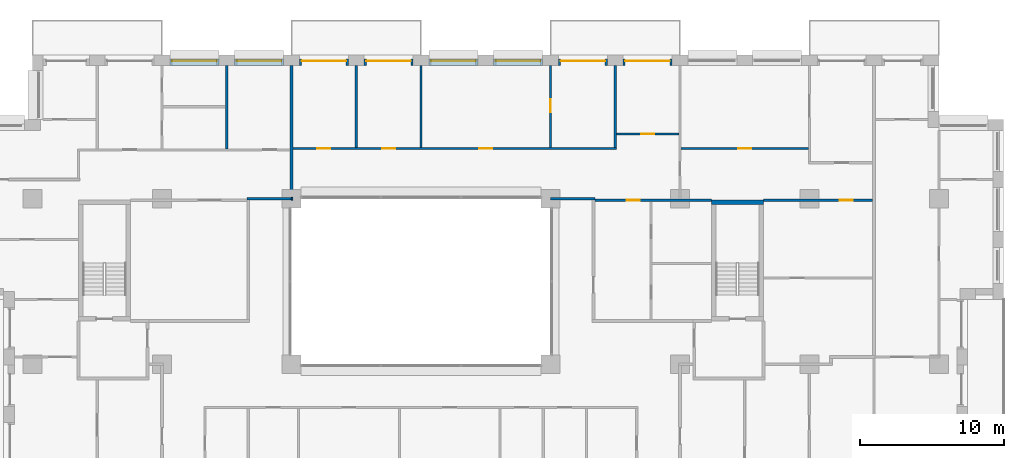
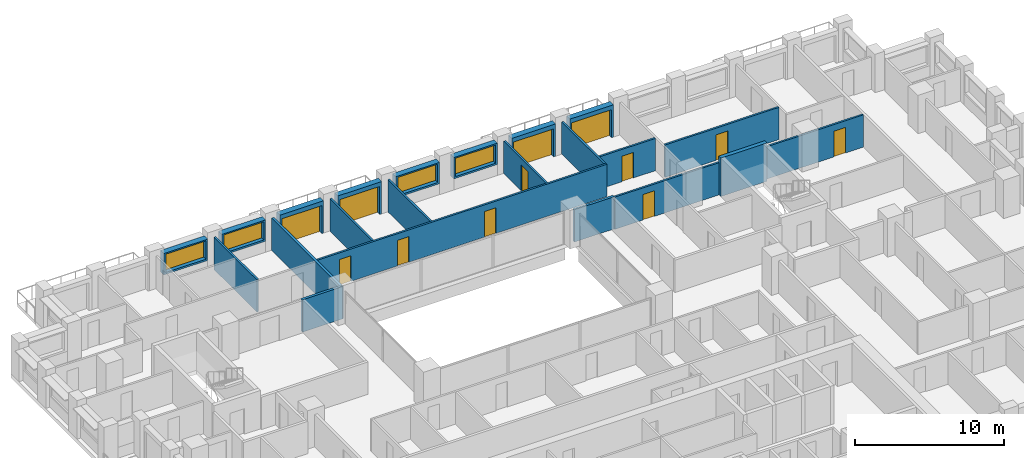
# One storey, part 13 of 17: 23 walls, 12 doors, 4 windows, 16 openings.
"""IFC4 building model written with IfcOpenShell, lengths in metres."""

from ifc_helpers import new_model, si_unit, direction, frame, frame_2d, origin, place, context, subcontext, project, spatial, rectangle, extrude, material, layer, layer_set, type_object, element, fill, save


model = new_model("IFC4")

# Units and contexts
model_context = context("Model", 3, precision=1e-05, world=origin(), true_north=direction((0.0, 1.0)))
body_context = subcontext(model_context, "Body", "Model", "MODEL_VIEW")
ifc_project = project(units=[si_unit("LENGTHUNIT", "METRE"), si_unit("AREAUNIT", "SQUARE_METRE"), si_unit("VOLUMEUNIT", "CUBIC_METRE"), si_unit("PLANEANGLEUNIT", "RADIAN"), si_unit("MASSUNIT", "GRAM", prefix="KILO")], contexts=[model_context])

# Site, building, storey
site_placement = place(None, origin())
site = spatial("IfcSite", under=ifc_project, at=site_placement, CompositionType="ELEMENT")
building_placement = place(site_placement, origin())
building = spatial("IfcBuilding", under=site, at=building_placement, Name="Brigalow Station Residences", CompositionType="ELEMENT")
storey_placement = place(building_placement, frame((0.0, 0.0, 127.64990234375)))
storey = spatial("IfcBuildingStorey", under=building, at=storey_placement, Name="L37", CompositionType="ELEMENT", Elevation=127.64990234375)

# Wall, opening, door
ifc_material_1 = material(Name="Clay brick masonry", Category="masonry")
ifc_layer_1 = layer(ifc_material_1, 0.449951171875)
ifc_layer_set_1 = layer_set([ifc_layer_1], Name="BRICK INFILL WALL 450")
wall_type_1 = type_object("IfcWallType", Name="BRICK INFILL WALL 450", PredefinedType="SOLIDWALL", material=ifc_layer_set_1)
wall_1_placement = place(storey_placement, frame((53.449951171875, 44.97509765625, 0.0), z_axis=(0.0, 0.0, 1.0), x_axis=(-1.0, 0.0, 0.0)))
wall_1 = element("IfcWall", 1, at=wall_1_placement, inside=storey, type_object=wall_type_1, Name="L37/ewall/W-L37-27", PredefinedType="SOLIDWALL", context=body_context, shape_type="SweptSolid", body=[
    extrude(rectangle(XDim=3.39990234375, YDim=0.449951171875, at=frame_2d((1.699951171875, 0.0))), origin(), (0.0, 0.0, 1.0), 2.650146484375),
])
opening_1_placement = place(wall_1_placement, frame((0.14990234375, 0.0, 0.0)))
opening_1 = element("IfcOpeningElement", 2, at=opening_1_placement, cuts=wall_1, Name="Opening D-B3100", PredefinedType="OPENING", context=body_context, shape_type="SweptSolid", body=[
    extrude(rectangle(XDim=3.10009765625, YDim=2.300048828125, at=frame_2d((1.550048828125, 1.14990234375))), frame((0.0, 0.23486328125, 0.0), z_axis=(0.0, -1.0, 0.0), x_axis=(1.0, 0.0, 0.0)), (0.0, 0.0, 1.0), 0.469970703125),
])
ifc_material_2 = material(Name="Anodised aluminium frame with double glazing", Category="aluminium")
door_type_1 = type_object("IfcDoorType", Name="BALCONY SLIDING DOOR 3100x2300", OperationType="SLIDING_TO_LEFT", PredefinedType="DOOR", material=ifc_material_2)
door_1_placement = place(opening_1_placement, origin())
door_1 = element("IfcDoor", 3, at=door_1_placement, inside=storey, type_object=door_type_1, Name="L37/balcony-door/W-L37-27", OperationType="SLIDING_TO_LEFT", OverallHeight=2.300048828125, OverallWidth=3.10009765625, PredefinedType="DOOR", context=body_context, shape_type="SweptSolid", body=[
    extrude(rectangle(XDim=3.10009765625, YDim=2.300048828125, at=frame_2d((1.550048828125, 1.14990234375))), frame((0.0, -0.06982421875, 0.0), z_axis=(0.0, -1.0, 0.0), x_axis=(1.0, 0.0, 0.0)), (0.0, 0.0, 1.0), 0.050048828125),
])
fill(opening_1, door_1)

wall_2_placement = place(storey_placement, frame((48.949951171875, 44.97509765625, 0.0), z_axis=(0.0, 0.0, 1.0), x_axis=(-1.0, 0.0, 0.0)))
wall_2 = element("IfcWall", 4, at=wall_2_placement, inside=storey, type_object=wall_type_1, Name="L37/ewall/W-L37-28", PredefinedType="SOLIDWALL", context=body_context, shape_type="SweptSolid", body=[
    extrude(rectangle(XDim=3.39990234375, YDim=0.449951171875, at=frame_2d((1.699951171875, 0.0))), origin(), (0.0, 0.0, 1.0), 2.650146484375),
])
opening_2_placement = place(wall_2_placement, frame((0.14990234375, 0.0, 0.0)))
opening_2 = element("IfcOpeningElement", 5, at=opening_2_placement, cuts=wall_2, Name="Opening D-B3100", PredefinedType="OPENING", context=body_context, shape_type="SweptSolid", body=[
    extrude(rectangle(XDim=3.10009765625, YDim=2.300048828125, at=frame_2d((1.550048828125, 1.14990234375))), frame((0.0, 0.23486328125, 0.0), z_axis=(0.0, -1.0, 0.0), x_axis=(1.0, 0.0, 0.0)), (0.0, 0.0, 1.0), 0.469970703125),
])
door_2_placement = place(opening_2_placement, origin())
door_2 = element("IfcDoor", 6, at=door_2_placement, inside=storey, type_object=door_type_1, Name="L37/balcony-door/W-L37-28", OperationType="SLIDING_TO_LEFT", OverallHeight=2.300048828125, OverallWidth=3.10009765625, PredefinedType="DOOR", context=body_context, shape_type="SweptSolid", body=[
    extrude(rectangle(XDim=3.10009765625, YDim=2.300048828125, at=frame_2d((1.550048828125, 1.14990234375))), frame((0.0, -0.06982421875, 0.0), z_axis=(0.0, -1.0, 0.0), x_axis=(1.0, 0.0, 0.0)), (0.0, 0.0, 1.0), 0.050048828125),
])
fill(opening_2, door_2)

# Wall, opening, window
wall_3_placement = place(storey_placement, frame((44.449951171875, 44.97509765625, 0.900146484375), z_axis=(0.0, 0.0, 1.0), x_axis=(-1.0, 0.0, 0.0)))
wall_3 = element("IfcWall", 7, at=wall_3_placement, inside=storey, type_object=wall_type_1, Name="L37/ewall/W-L37-29", PredefinedType="SOLIDWALL", context=body_context, shape_type="SweptSolid", body=[
    extrude(rectangle(XDim=3.39990234375, YDim=0.449951171875, at=frame_2d((1.699951171875, 0.0))), origin(), (0.0, 0.0, 1.0), 1.75),
])
opening_3_placement = place(wall_3_placement, frame((0.14990234375, 0.0, 0.14990234375)))
opening_3 = element("IfcOpeningElement", 8, at=opening_3_placement, cuts=wall_3, Name="Opening WT-8", PredefinedType="OPENING", context=body_context, shape_type="SweptSolid", body=[
    extrude(rectangle(XDim=3.10009765625, YDim=1.5, at=frame_2d((1.550048828125, 0.75))), frame((0.0, 0.23486328125, 0.0), z_axis=(0.0, -1.0, 0.0), x_axis=(1.0, 0.0, 0.0)), (0.0, 0.0, 1.0), 0.469970703125),
])
ifc_material_3 = material(Name="Anodised aluminium frame with double glazing", Category="aluminium")
window_type = type_object("IfcWindowType", Name="WINDOW 3100x1500", PartitioningType="SINGLE_PANEL", PredefinedType="WINDOW", material=ifc_material_3)
window_1_placement = place(opening_3_placement, origin())
window_1 = element("IfcWindow", 9, at=window_1_placement, inside=storey, type_object=window_type, Name="L37/window/W-L37-29", OverallHeight=1.5, OverallWidth=3.10009765625, PartitioningType="SINGLE_PANEL", PredefinedType="WINDOW", context=body_context, shape_type="SweptSolid", body=[
    extrude(rectangle(XDim=3.10009765625, YDim=1.5, at=frame_2d((1.550048828125, 0.75))), frame((0.0, -0.06494140625, 0.0), z_axis=(0.0, -1.0, 0.0), x_axis=(1.0, 0.0, 0.0)), (0.0, 0.0, 1.0), 0.06005859375),
])
fill(opening_3, window_1)

wall_4_placement = place(storey_placement, frame((39.949951171875, 44.97509765625, 0.900146484375), z_axis=(0.0, 0.0, 1.0), x_axis=(-1.0, 0.0, 0.0)))
wall_4 = element("IfcWall", 10, at=wall_4_placement, inside=storey, type_object=wall_type_1, Name="L37/ewall/W-L37-30", PredefinedType="SOLIDWALL", context=body_context, shape_type="SweptSolid", body=[
    extrude(rectangle(XDim=3.39990234375, YDim=0.449951171875, at=frame_2d((1.699951171875, 0.0))), origin(), (0.0, 0.0, 1.0), 1.75),
])
opening_4_placement = place(wall_4_placement, frame((0.14990234375, 0.0, 0.14990234375)))
opening_4 = element("IfcOpeningElement", 11, at=opening_4_placement, cuts=wall_4, Name="Opening WT-8", PredefinedType="OPENING", context=body_context, shape_type="SweptSolid", body=[
    extrude(rectangle(XDim=3.10009765625, YDim=1.5, at=frame_2d((1.550048828125, 0.75))), frame((0.0, 0.23486328125, 0.0), z_axis=(0.0, -1.0, 0.0), x_axis=(1.0, 0.0, 0.0)), (0.0, 0.0, 1.0), 0.469970703125),
])
window_2_placement = place(opening_4_placement, origin())
window_2 = element("IfcWindow", 12, at=window_2_placement, inside=storey, type_object=window_type, Name="L37/window/W-L37-30", OverallHeight=1.5, OverallWidth=3.10009765625, PartitioningType="SINGLE_PANEL", PredefinedType="WINDOW", context=body_context, shape_type="SweptSolid", body=[
    extrude(rectangle(XDim=3.10009765625, YDim=1.5, at=frame_2d((1.550048828125, 0.75))), frame((0.0, -0.06494140625, 0.0), z_axis=(0.0, -1.0, 0.0), x_axis=(1.0, 0.0, 0.0)), (0.0, 0.0, 1.0), 0.06005859375),
])
fill(opening_4, window_2)

# Wall, opening, door
wall_5_placement = place(storey_placement, frame((35.449951171875, 44.97509765625, 0.0), z_axis=(0.0, 0.0, 1.0), x_axis=(-1.0, 0.0, 0.0)))
wall_5 = element("IfcWall", 13, at=wall_5_placement, inside=storey, type_object=wall_type_1, Name="L37/ewall/W-L37-31", PredefinedType="SOLIDWALL", context=body_context, shape_type="SweptSolid", body=[
    extrude(rectangle(XDim=3.39990234375, YDim=0.449951171875, at=frame_2d((1.699951171875, 0.0))), origin(), (0.0, 0.0, 1.0), 2.650146484375),
])
opening_5_placement = place(wall_5_placement, frame((0.14990234375, 0.0, 0.0)))
opening_5 = element("IfcOpeningElement", 14, at=opening_5_placement, cuts=wall_5, Name="Opening D-B3100", PredefinedType="OPENING", context=body_context, shape_type="SweptSolid", body=[
    extrude(rectangle(XDim=3.10009765625, YDim=2.300048828125, at=frame_2d((1.550048828125, 1.14990234375))), frame((0.0, 0.23486328125, 0.0), z_axis=(0.0, -1.0, 0.0), x_axis=(1.0, 0.0, 0.0)), (0.0, 0.0, 1.0), 0.469970703125),
])
door_3_placement = place(opening_5_placement, origin())
door_3 = element("IfcDoor", 15, at=door_3_placement, inside=storey, type_object=door_type_1, Name="L37/balcony-door/W-L37-31", OperationType="SLIDING_TO_LEFT", OverallHeight=2.300048828125, OverallWidth=3.10009765625, PredefinedType="DOOR", context=body_context, shape_type="SweptSolid", body=[
    extrude(rectangle(XDim=3.10009765625, YDim=2.300048828125, at=frame_2d((1.550048828125, 1.14990234375))), frame((0.0, -0.06982421875, 0.0), z_axis=(0.0, -1.0, 0.0), x_axis=(1.0, 0.0, 0.0)), (0.0, 0.0, 1.0), 0.050048828125),
])
fill(opening_5, door_3)

wall_6_placement = place(storey_placement, frame((30.949951171875, 44.97509765625, 0.0), z_axis=(0.0, 0.0, 1.0), x_axis=(-1.0, 0.0, 0.0)))
wall_6 = element("IfcWall", 16, at=wall_6_placement, inside=storey, type_object=wall_type_1, Name="L37/ewall/W-L37-32", PredefinedType="SOLIDWALL", context=body_context, shape_type="SweptSolid", body=[
    extrude(rectangle(XDim=3.39990234375, YDim=0.449951171875, at=frame_2d((1.699951171875, 0.0))), origin(), (0.0, 0.0, 1.0), 2.650146484375),
])
opening_6_placement = place(wall_6_placement, frame((0.14990234375, 0.0, 0.0)))
opening_6 = element("IfcOpeningElement", 17, at=opening_6_placement, cuts=wall_6, Name="Opening D-B3100", PredefinedType="OPENING", context=body_context, shape_type="SweptSolid", body=[
    extrude(rectangle(XDim=3.10009765625, YDim=2.300048828125, at=frame_2d((1.550048828125, 1.14990234375))), frame((0.0, 0.23486328125, 0.0), z_axis=(0.0, -1.0, 0.0), x_axis=(1.0, 0.0, 0.0)), (0.0, 0.0, 1.0), 0.469970703125),
])
door_4_placement = place(opening_6_placement, origin())
door_4 = element("IfcDoor", 18, at=door_4_placement, inside=storey, type_object=door_type_1, Name="L37/balcony-door/W-L37-32", OperationType="SLIDING_TO_LEFT", OverallHeight=2.300048828125, OverallWidth=3.10009765625, PredefinedType="DOOR", context=body_context, shape_type="SweptSolid", body=[
    extrude(rectangle(XDim=3.10009765625, YDim=2.300048828125, at=frame_2d((1.550048828125, 1.14990234375))), frame((0.0, -0.06982421875, 0.0), z_axis=(0.0, -1.0, 0.0), x_axis=(1.0, 0.0, 0.0)), (0.0, 0.0, 1.0), 0.050048828125),
])
fill(opening_6, door_4)

# Wall, opening, window
wall_7_placement = place(storey_placement, frame((26.449951171875, 44.97509765625, 0.900146484375), z_axis=(0.0, 0.0, 1.0), x_axis=(-1.0, 0.0, 0.0)))
wall_7 = element("IfcWall", 19, at=wall_7_placement, inside=storey, type_object=wall_type_1, Name="L37/ewall/W-L37-33", PredefinedType="SOLIDWALL", context=body_context, shape_type="SweptSolid", body=[
    extrude(rectangle(XDim=3.39990234375, YDim=0.449951171875, at=frame_2d((1.699951171875, 0.0))), origin(), (0.0, 0.0, 1.0), 1.75),
])
opening_7_placement = place(wall_7_placement, frame((0.14990234375, 0.0, 0.14990234375)))
opening_7 = element("IfcOpeningElement", 20, at=opening_7_placement, cuts=wall_7, Name="Opening WT-8", PredefinedType="OPENING", context=body_context, shape_type="SweptSolid", body=[
    extrude(rectangle(XDim=3.10009765625, YDim=1.5, at=frame_2d((1.550048828125, 0.75))), frame((0.0, 0.23486328125, 0.0), z_axis=(0.0, -1.0, 0.0), x_axis=(1.0, 0.0, 0.0)), (0.0, 0.0, 1.0), 0.469970703125),
])
window_3_placement = place(opening_7_placement, origin())
window_3 = element("IfcWindow", 21, at=window_3_placement, inside=storey, type_object=window_type, Name="L37/window/W-L37-33", OverallHeight=1.5, OverallWidth=3.10009765625, PartitioningType="SINGLE_PANEL", PredefinedType="WINDOW", context=body_context, shape_type="SweptSolid", body=[
    extrude(rectangle(XDim=3.10009765625, YDim=1.5, at=frame_2d((1.550048828125, 0.75))), frame((0.0, -0.06494140625, 0.0), z_axis=(0.0, -1.0, 0.0), x_axis=(1.0, 0.0, 0.0)), (0.0, 0.0, 1.0), 0.06005859375),
])
fill(opening_7, window_3)

wall_8_placement = place(storey_placement, frame((21.949951171875, 44.97509765625, 0.900146484375), z_axis=(0.0, 0.0, 1.0), x_axis=(-1.0, 0.0, 0.0)))
wall_8 = element("IfcWall", 22, at=wall_8_placement, inside=storey, type_object=wall_type_1, Name="L37/ewall/W-L37-34", PredefinedType="SOLIDWALL", context=body_context, shape_type="SweptSolid", body=[
    extrude(rectangle(XDim=3.39990234375, YDim=0.449951171875, at=frame_2d((1.699951171875, 0.0))), origin(), (0.0, 0.0, 1.0), 1.75),
])
opening_8_placement = place(wall_8_placement, frame((0.14990234375, 0.0, 0.14990234375)))
opening_8 = element("IfcOpeningElement", 23, at=opening_8_placement, cuts=wall_8, Name="Opening WT-8", PredefinedType="OPENING", context=body_context, shape_type="SweptSolid", body=[
    extrude(rectangle(XDim=3.10009765625, YDim=1.5, at=frame_2d((1.550048828125, 0.75))), frame((0.0, 0.23486328125, 0.0), z_axis=(0.0, -1.0, 0.0), x_axis=(1.0, 0.0, 0.0)), (0.0, 0.0, 1.0), 0.469970703125),
])
window_4_placement = place(opening_8_placement, origin())
window_4 = element("IfcWindow", 24, at=window_4_placement, inside=storey, type_object=window_type, Name="L37/window/W-L37-34", OverallHeight=1.5, OverallWidth=3.10009765625, PartitioningType="SINGLE_PANEL", PredefinedType="WINDOW", context=body_context, shape_type="SweptSolid", body=[
    extrude(rectangle(XDim=3.10009765625, YDim=1.5, at=frame_2d((1.550048828125, 0.75))), frame((0.0, -0.06494140625, 0.0), z_axis=(0.0, -1.0, 0.0), x_axis=(1.0, 0.0, 0.0)), (0.0, 0.0, 1.0), 0.06005859375),
])
fill(opening_8, window_4)

# Wall
ifc_material_4 = material(Name="Concrete C65", Category="concrete")
ifc_layer_2 = layer(ifc_material_4, 0.300048828125)
ifc_layer_set_2 = layer_set([ifc_layer_2], Name="CORE SHEAR WALL 300 C65")
wall_type_2 = type_object("IfcWallType", Name="CORE SHEAR WALL 300 C65", PredefinedType="SHEAR", material=ifc_layer_set_2)
wall_9_placement = place(storey_placement, frame((56.199951171875, 35.25, 0.0), z_axis=(0.0, 0.0, 1.0), x_axis=(1.0, 0.0, 0.0)))
element("IfcWall", 25, at=wall_9_placement, inside=storey, type_object=wall_type_2, Name="CORE WALL ST-S3-N L37", PredefinedType="SHEAR", context=body_context, shape_type="SweptSolid", body=[
    extrude(rectangle(XDim=3.60009765625, YDim=0.300048828125, at=frame_2d((1.800048828125, 0.0))), origin(), (0.0, 0.0, 1.0), 3.150146484375),
])

# Wall, opening, door
ifc_material_5 = material(Name="Plasterboard on steel stud partition", Category="steel")
ifc_layer_3 = layer(ifc_material_5, 0.14990234375)
ifc_layer_set_3 = layer_set([ifc_layer_3], Name="FLAT PARTITION 150")
wall_type_3 = type_object("IfcWallType", Name="FLAT PARTITION 150", PredefinedType="PARTITIONING", material=ifc_layer_set_3)
wall_10_placement = place(storey_placement, frame((48.10009765625, 35.39990234375, 0.0), z_axis=(0.0, 0.0, 1.0), x_axis=(1.0, 0.0, 0.0)))
wall_10 = element("IfcWall", 26, at=wall_10_placement, inside=storey, type_object=wall_type_3, Name="PW-2F27", PredefinedType="PARTITIONING", context=body_context, shape_type="SweptSolid", body=[
    extrude(rectangle(XDim=8.099853515625, YDim=0.14990234375, at=frame_2d((4.0498046875, 0.0))), origin(), (0.0, 0.0, 1.0), 2.650146484375),
])
opening_9_placement = place(wall_10_placement, frame((2.199951171875, 0.0, 0.0)))
opening_9 = element("IfcOpeningElement", 27, at=opening_9_placement, cuts=wall_10, Name="Opening D-2F23", PredefinedType="OPENING", context=body_context, shape_type="SweptSolid", body=[
    extrude(rectangle(XDim=0.89990234375, YDim=2.10009765625, at=frame_2d((0.449951171875, 1.050048828125))), frame((0.0, 0.0849609375, 0.0), z_axis=(0.0, -1.0, 0.0), x_axis=(1.0, 0.0, 0.0)), (0.0, 0.0, 1.0), 0.169921875),
])
ifc_material_6 = material(Name="Solid-core timber door leaf", Category="wood")
door_type_2 = type_object("IfcDoorType", Name="INTERNAL DOOR 900 x 2100", OperationType="SINGLE_SWING_LEFT", PredefinedType="DOOR", material=ifc_material_6)
door_5_placement = place(opening_9_placement, frame((0.89990234375, 0.0, 0.0), z_axis=(0.0, 0.0, 1.0), x_axis=(-1.0, 0.0, 0.0)))
door_5 = element("IfcDoor", 28, at=door_5_placement, inside=storey, type_object=door_type_2, Name="D-2F23", OperationType="SINGLE_SWING_LEFT", OverallHeight=2.10009765625, OverallWidth=0.89990234375, PredefinedType="DOOR", context=body_context, shape_type="SweptSolid", body=[
    extrude(rectangle(XDim=0.89990234375, YDim=2.10009765625, at=frame_2d((0.449951171875, 1.050048828125))), frame((0.0, 0.02490234375, 0.0), z_axis=(0.0, -1.0, 0.0), x_axis=(1.0, 0.0, 0.0)), (0.0, 0.0, 1.0), 0.050048828125),
])
fill(opening_9, door_5)

wall_11_placement = place(storey_placement, frame((59.800048828125, 35.39990234375, 0.0), z_axis=(0.0, 0.0, 1.0), x_axis=(1.0, 0.0, 0.0)))
wall_11 = element("IfcWall", 29, at=wall_11_placement, inside=storey, type_object=wall_type_3, Name="PW-2F28", PredefinedType="PARTITIONING", context=body_context, shape_type="SweptSolid", body=[
    extrude(rectangle(XDim=7.599853515625, YDim=0.14990234375, at=frame_2d((3.7998046875, 0.0))), origin(), (0.0, 0.0, 1.0), 2.650146484375),
])
opening_10_placement = place(wall_11_placement, frame((5.324951171875, 0.0, 0.0)))
opening_10 = element("IfcOpeningElement", 30, at=opening_10_placement, cuts=wall_11, Name="Opening D-2F33", PredefinedType="OPENING", context=body_context, shape_type="SweptSolid", body=[
    extrude(rectangle(XDim=0.89990234375, YDim=2.10009765625, at=frame_2d((0.449951171875, 1.050048828125))), frame((0.0, 0.0849609375, 0.0), z_axis=(0.0, -1.0, 0.0), x_axis=(1.0, 0.0, 0.0)), (0.0, 0.0, 1.0), 0.169921875),
])
door_6_placement = place(opening_10_placement, frame((0.89990234375, 0.0, 0.0), z_axis=(0.0, 0.0, 1.0), x_axis=(-1.0, 0.0, 0.0)))
door_6 = element("IfcDoor", 31, at=door_6_placement, inside=storey, type_object=door_type_2, Name="D-2F33", OperationType="SINGLE_SWING_LEFT", OverallHeight=2.10009765625, OverallWidth=0.89990234375, PredefinedType="DOOR", context=body_context, shape_type="SweptSolid", body=[
    extrude(rectangle(XDim=0.89990234375, YDim=2.10009765625, at=frame_2d((0.449951171875, 1.050048828125))), frame((0.0, 0.02490234375, 0.0), z_axis=(0.0, -1.0, 0.0), x_axis=(1.0, 0.0, 0.0)), (0.0, 0.0, 1.0), 0.050048828125),
])
fill(opening_10, door_6)

# Wall, openings, doors
wall_12_placement = place(storey_placement, frame((27.10009765625, 39.0, 0.0), z_axis=(0.0, 0.0, 1.0), x_axis=(1.0, 0.0, 0.0)))
wall_12 = element("IfcWall", 32, at=wall_12_placement, inside=storey, type_object=wall_type_3, Name="PW-2F33", PredefinedType="PARTITIONING", context=body_context, shape_type="SweptSolid", body=[
    extrude(rectangle(XDim=22.474853515625, YDim=0.14990234375, at=frame_2d((11.2373046875, 0.0))), origin(), (0.0, 0.0, 1.0), 2.650146484375),
])
opening_11_placement = place(wall_12_placement, frame((1.699951171875, 0.0, 0.0)))
opening_11 = element("IfcOpeningElement", 33, at=opening_11_placement, cuts=wall_12, Name="Opening D-2F24", PredefinedType="OPENING", context=body_context, shape_type="SweptSolid", body=[
    extrude(rectangle(XDim=0.89990234375, YDim=2.10009765625, at=frame_2d((0.449951171875, 1.050048828125))), frame((0.0, 0.0849609375, 0.0), z_axis=(0.0, -1.0, 0.0), x_axis=(1.0, 0.0, 0.0)), (0.0, 0.0, 1.0), 0.169921875),
])
opening_12_placement = place(wall_12_placement, frame((6.199951171875, 0.0, 0.0)))
opening_12 = element("IfcOpeningElement", 34, at=opening_12_placement, cuts=wall_12, Name="Opening D-2F25", PredefinedType="OPENING", context=body_context, shape_type="SweptSolid", body=[
    extrude(rectangle(XDim=0.89990234375, YDim=2.10009765625, at=frame_2d((0.449951171875, 1.050048828125))), frame((0.0, 0.0849609375, 0.0), z_axis=(0.0, -1.0, 0.0), x_axis=(1.0, 0.0, 0.0)), (0.0, 0.0, 1.0), 0.169921875),
])
opening_13_placement = place(wall_12_placement, frame((12.949951171875, 0.0, 0.0)))
opening_13 = element("IfcOpeningElement", 35, at=opening_13_placement, cuts=wall_12, Name="Opening D-2F26", PredefinedType="OPENING", context=body_context, shape_type="SweptSolid", body=[
    extrude(rectangle(XDim=0.89990234375, YDim=2.10009765625, at=frame_2d((0.449951171875, 1.050048828125))), frame((0.0, 0.0849609375, 0.0), z_axis=(0.0, -1.0, 0.0), x_axis=(1.0, 0.0, 0.0)), (0.0, 0.0, 1.0), 0.169921875),
])
door_7_placement = place(opening_11_placement, origin())
door_7 = element("IfcDoor", 36, at=door_7_placement, inside=storey, type_object=door_type_2, Name="D-2F24", OperationType="SINGLE_SWING_LEFT", OverallHeight=2.10009765625, OverallWidth=0.89990234375, PredefinedType="DOOR", context=body_context, shape_type="SweptSolid", body=[
    extrude(rectangle(XDim=0.89990234375, YDim=2.10009765625, at=frame_2d((0.449951171875, 1.050048828125))), frame((0.0, 0.02490234375, 0.0), z_axis=(0.0, -1.0, 0.0), x_axis=(1.0, 0.0, 0.0)), (0.0, 0.0, 1.0), 0.050048828125),
])
fill(opening_11, door_7)
door_8_placement = place(opening_12_placement, origin())
door_8 = element("IfcDoor", 37, at=door_8_placement, inside=storey, type_object=door_type_2, Name="D-2F25", OperationType="SINGLE_SWING_RIGHT", OverallHeight=2.10009765625, OverallWidth=0.89990234375, PredefinedType="DOOR", context=body_context, shape_type="SweptSolid", body=[
    extrude(rectangle(XDim=0.89990234375, YDim=2.10009765625, at=frame_2d((0.449951171875, 1.050048828125))), frame((0.0, 0.02490234375, 0.0), z_axis=(0.0, -1.0, 0.0), x_axis=(1.0, 0.0, 0.0)), (0.0, 0.0, 1.0), 0.050048828125),
])
fill(opening_12, door_8)
door_9_placement = place(opening_13_placement, origin())
door_9 = element("IfcDoor", 38, at=door_9_placement, inside=storey, type_object=door_type_2, Name="D-2F26", OperationType="SINGLE_SWING_LEFT", OverallHeight=2.10009765625, OverallWidth=0.89990234375, PredefinedType="DOOR", context=body_context, shape_type="SweptSolid", body=[
    extrude(rectangle(XDim=0.89990234375, YDim=2.10009765625, at=frame_2d((0.449951171875, 1.050048828125))), frame((0.0, 0.02490234375, 0.0), z_axis=(0.0, -1.0, 0.0), x_axis=(1.0, 0.0, 0.0)), (0.0, 0.0, 1.0), 0.050048828125),
])
fill(opening_13, door_9)

# Wall, opening, door
wall_13_placement = place(storey_placement, frame((54.074951171875, 39.0, 0.0), z_axis=(0.0, 0.0, 1.0), x_axis=(1.0, 0.0, 0.0)))
wall_13 = element("IfcWall", 39, at=wall_13_placement, inside=storey, type_object=wall_type_3, Name="PW-2F34", PredefinedType="PARTITIONING", context=body_context, shape_type="SweptSolid", body=[
    extrude(rectangle(XDim=8.85009765625, YDim=0.14990234375, at=frame_2d((4.425048828125, 0.0))), origin(), (0.0, 0.0, 1.0), 2.650146484375),
])
opening_14_placement = place(wall_13_placement, frame((3.97509765625, 0.0, 0.0)))
opening_14 = element("IfcOpeningElement", 40, at=opening_14_placement, cuts=wall_13, Name="Opening D-2F30", PredefinedType="OPENING", context=body_context, shape_type="SweptSolid", body=[
    extrude(rectangle(XDim=0.89990234375, YDim=2.10009765625, at=frame_2d((0.449951171875, 1.050048828125))), frame((0.0, 0.0849609375, 0.0), z_axis=(0.0, -1.0, 0.0), x_axis=(1.0, 0.0, 0.0)), (0.0, 0.0, 1.0), 0.169921875),
])
door_10_placement = place(opening_14_placement, frame((0.89990234375, 0.0, 0.0), z_axis=(0.0, 0.0, 1.0), x_axis=(-1.0, 0.0, 0.0)))
door_10 = element("IfcDoor", 41, at=door_10_placement, inside=storey, type_object=door_type_2, Name="D-2F30", OperationType="SINGLE_SWING_LEFT", OverallHeight=2.10009765625, OverallWidth=0.89990234375, PredefinedType="DOOR", context=body_context, shape_type="SweptSolid", body=[
    extrude(rectangle(XDim=0.89990234375, YDim=2.10009765625, at=frame_2d((0.449951171875, 1.050048828125))), frame((0.0, 0.02490234375, 0.0), z_axis=(0.0, -1.0, 0.0), x_axis=(1.0, 0.0, 0.0)), (0.0, 0.0, 1.0), 0.050048828125),
])
fill(opening_14, door_10)

wall_14_placement = place(storey_placement, frame((49.574951171875, 40.0, 0.0), z_axis=(0.0, 0.0, 1.0), x_axis=(1.0, 0.0, 0.0)))
wall_14 = element("IfcWall", 42, at=wall_14_placement, inside=storey, type_object=wall_type_3, Name="PW-2F35", PredefinedType="PARTITIONING", context=body_context, shape_type="SweptSolid", body=[
    extrude(rectangle(XDim=4.35009765625, YDim=0.14990234375, at=frame_2d((2.175048828125, 0.0))), origin(), (0.0, 0.0, 1.0), 2.650146484375),
])
opening_15_placement = place(wall_14_placement, frame((1.72509765625, 0.0, 0.0)))
opening_15 = element("IfcOpeningElement", 43, at=opening_15_placement, cuts=wall_14, Name="Opening D-2F28", PredefinedType="OPENING", context=body_context, shape_type="SweptSolid", body=[
    extrude(rectangle(XDim=0.89990234375, YDim=2.10009765625, at=frame_2d((0.449951171875, 1.050048828125))), frame((0.0, 0.0849609375, 0.0), z_axis=(0.0, -1.0, 0.0), x_axis=(1.0, 0.0, 0.0)), (0.0, 0.0, 1.0), 0.169921875),
])
door_11_placement = place(opening_15_placement, origin())
door_11 = element("IfcDoor", 44, at=door_11_placement, inside=storey, type_object=door_type_2, Name="D-2F28", OperationType="SINGLE_SWING_RIGHT", OverallHeight=2.10009765625, OverallWidth=0.89990234375, PredefinedType="DOOR", context=body_context, shape_type="SweptSolid", body=[
    extrude(rectangle(XDim=0.89990234375, YDim=2.10009765625, at=frame_2d((0.449951171875, 1.050048828125))), frame((0.0, 0.02490234375, 0.0), z_axis=(0.0, -1.0, 0.0), x_axis=(1.0, 0.0, 0.0)), (0.0, 0.0, 1.0), 0.050048828125),
])
fill(opening_15, door_11)

# Walls
wall_15_placement = place(storey_placement, frame((22.5, 38.97509765625, 0.0), z_axis=(0.0, 0.0, 1.0), x_axis=(0.0, 1.0, 0.0)))
element("IfcWall", 45, at=wall_15_placement, inside=storey, type_object=wall_type_3, Name="PW-2F55", PredefinedType="PARTITIONING", context=body_context, shape_type="SweptSolid", body=[
    extrude(rectangle(XDim=5.77490234375, YDim=0.14990234375, at=frame_2d((2.887451171875, 0.0))), origin(), (0.0, 0.0, 1.0), 2.650146484375),
])
for number, where, z_axis, x_axis, name in (
    (46, (49.5, 39.074951171875, 0.0), (0.0, 0.0, 1.0), (0.0, 1.0, 0.0), "PW-2F57"),
    (47, (31.5, 39.074951171875, 0.0), (0.0, 0.0, 1.0), (0.0, 1.0, 0.0), "PW-2F58"),
    (48, (36.0, 39.074951171875, 0.0), (0.0, 0.0, 1.0), (0.0, 1.0, 0.0), "PW-2F59"),
):
    element("IfcWall", number, at=place(storey_placement, frame(where, z_axis=z_axis, x_axis=x_axis)), inside=storey, type_object=wall_type_3, Name=name, PredefinedType="PARTITIONING", context=body_context, shape_type="SweptSolid", body=[
        extrude(rectangle(XDim=5.675048828125, YDim=0.14990234375, at=frame_2d((2.83740234375, 0.0))), origin(), (0.0, 0.0, 1.0), 2.650146484375),
    ])

# Wall, opening, door
wall_16_placement = place(storey_placement, frame((45.0, 39.074951171875, 0.0), z_axis=(0.0, 0.0, 1.0), x_axis=(0.0, 1.0, 0.0)))
wall_16 = element("IfcWall", 49, at=wall_16_placement, inside=storey, type_object=wall_type_3, Name="PW-2F60", PredefinedType="PARTITIONING", context=body_context, shape_type="SweptSolid", body=[
    extrude(rectangle(XDim=5.675048828125, YDim=0.14990234375, at=frame_2d((2.83740234375, 0.0))), origin(), (0.0, 0.0, 1.0), 2.650146484375),
])
opening_16_placement = place(wall_16_placement, frame((2.425048828125, 0.0, 0.0)))
opening_16 = element("IfcOpeningElement", 50, at=opening_16_placement, cuts=wall_16, Name="Opening D-2F27", PredefinedType="OPENING", context=body_context, shape_type="SweptSolid", body=[
    extrude(rectangle(XDim=0.89990234375, YDim=2.10009765625, at=frame_2d((0.449951171875, 1.050048828125))), frame((0.0, 0.0849609375, 0.0), z_axis=(0.0, -1.0, 0.0), x_axis=(1.0, 0.0, 0.0)), (0.0, 0.0, 1.0), 0.169921875),
])
door_12_placement = place(opening_16_placement, frame((0.89990234375, 0.0, 0.0), z_axis=(0.0, 0.0, 1.0), x_axis=(-1.0, 0.0, 0.0)))
door_12 = element("IfcDoor", 51, at=door_12_placement, inside=storey, type_object=door_type_2, Name="D-2F27", OperationType="SINGLE_SWING_LEFT", OverallHeight=2.10009765625, OverallWidth=0.89990234375, PredefinedType="DOOR", context=body_context, shape_type="SweptSolid", body=[
    extrude(rectangle(XDim=0.89990234375, YDim=2.10009765625, at=frame_2d((0.449951171875, 1.050048828125))), frame((0.0, 0.02490234375, 0.0), z_axis=(0.0, -1.0, 0.0), x_axis=(1.0, 0.0, 0.0)), (0.0, 0.0, 1.0), 0.050048828125),
])
fill(opening_16, door_12)

# Walls
ifc_material_7 = material(Name="Plasterboard on steel stud partition", Category="steel")
ifc_layer_4 = layer(ifc_material_7, 0.199951171875)
ifc_layer_set_4 = layer_set([ifc_layer_4], Name="PARTY AND CORRIDOR WALL 200")
wall_type_4 = type_object("IfcWallType", Name="PARTY AND CORRIDOR WALL 200", PredefinedType="PARTITIONING", material=ifc_layer_set_4)
wall_17_placement = place(storey_placement, frame((23.89990234375, 35.5, 0.0), z_axis=(0.0, 0.0, 1.0), x_axis=(1.0, 0.0, 0.0)))
element("IfcWall", 52, at=wall_17_placement, inside=storey, type_object=wall_type_4, Name="PW-2F07", PredefinedType="PARTITIONING", context=body_context, shape_type="SweptSolid", body=[
    extrude(rectangle(XDim=3.10009765625, YDim=0.199951171875, at=frame_2d((1.550048828125, 0.0))), origin(), (0.0, 0.0, 1.0), 2.650146484375),
])
wall_18_placement = place(storey_placement, frame((27.0, 35.5, 0.0), z_axis=(0.0, 0.0, 1.0), x_axis=(1.0, 0.0, 0.0)))
element("IfcWall", 53, at=wall_18_placement, inside=storey, type_object=wall_type_4, Name="PW-2F08", PredefinedType="PARTITIONING", context=body_context, shape_type="SweptSolid", body=[
    extrude(rectangle(XDim=0.10009765625, YDim=0.199951171875, at=frame_2d((0.050048828125, 0.0))), origin(), (0.0, 0.0, 1.0), 2.650146484375),
])
wall_19_placement = place(storey_placement, frame((45.0, 35.5, 0.0), z_axis=(0.0, 0.0, 1.0), x_axis=(1.0, 0.0, 0.0)))
element("IfcWall", 54, at=wall_19_placement, inside=storey, type_object=wall_type_4, Name="PW-2F09", PredefinedType="PARTITIONING", context=body_context, shape_type="SweptSolid", body=[
    extrude(rectangle(XDim=3.10009765625, YDim=0.199951171875, at=frame_2d((1.550048828125, 0.0))), origin(), (0.0, 0.0, 1.0), 2.650146484375),
])
wall_20_placement = place(storey_placement, frame((27.0, 35.60009765625, 0.0), z_axis=(0.0, 0.0, 1.0), x_axis=(0.0, 1.0, 0.0)))
element("IfcWall", 55, at=wall_20_placement, inside=storey, type_object=wall_type_4, Name="PW-2F54", PredefinedType="PARTITIONING", context=body_context, shape_type="SweptSolid", body=[
    extrude(rectangle(XDim=9.14990234375, YDim=0.199951171875, at=frame_2d((4.574951171875, 0.0))), origin(), (0.0, 0.0, 1.0), 2.650146484375),
])

save(model, "model.ifc")
